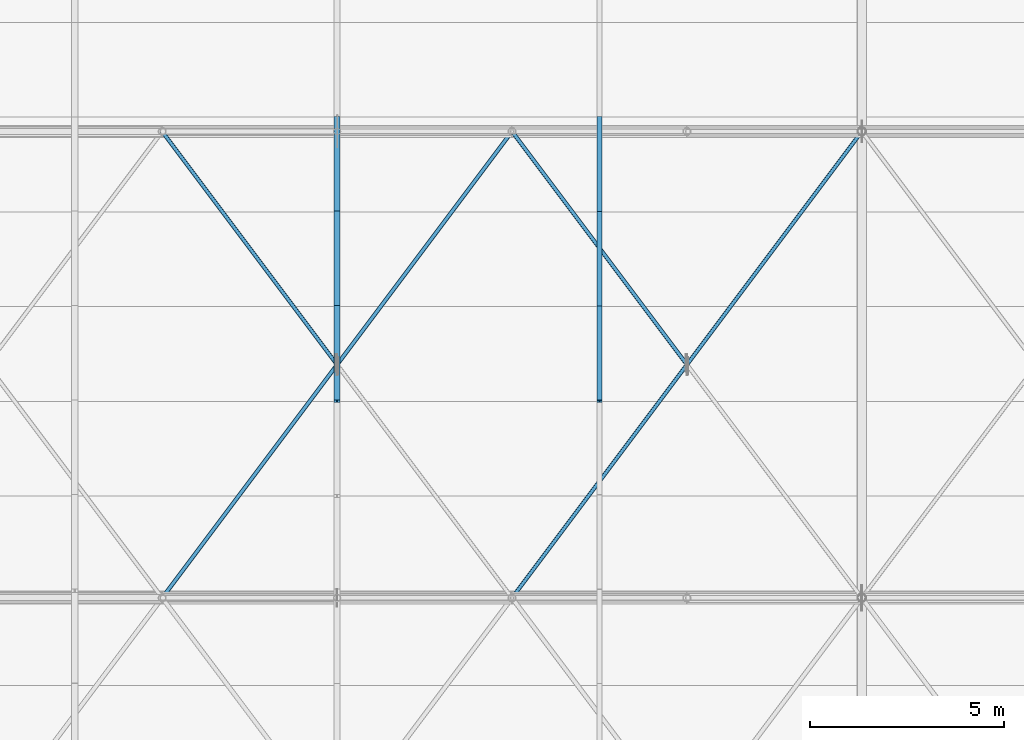
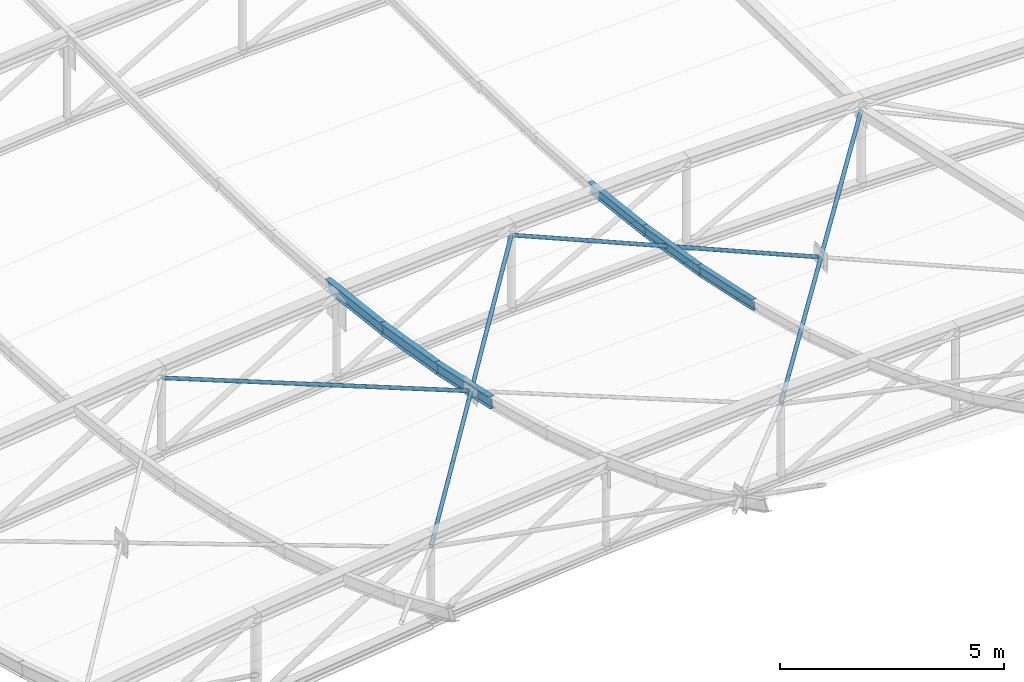
# One storey, part 83 of 262: 10 members.
"""IFC4 building model written with IfcOpenShell, lengths in metres."""

from ifc_helpers import new_model, si_unit, derived_unit, direction, frame, origin, origin_2d, place, context, subcontext, project, spatial, hollow_circle, i_section, extrude, material, material_profile, profile_set, type_object, element, save


model = new_model("IFC4")

# Units and contexts
model_context = context("Model", 3, precision=1e-05, world=origin(), true_north=direction((0.0, 1.0)))
body_context = subcontext(model_context, "Body", "Model", "MODEL_VIEW")
ifc_project = project(units=[si_unit("LENGTHUNIT", "METRE"), si_unit("AREAUNIT", "SQUARE_METRE"), si_unit("VOLUMEUNIT", "CUBIC_METRE"), si_unit("PLANEANGLEUNIT", "RADIAN"), si_unit("MASSUNIT", "GRAM", prefix="KILO"), derived_unit("THERMALTRANSMITTANCEUNIT", [(si_unit("POWERUNIT", "WATT"), 1), (si_unit("LENGTHUNIT", "METRE"), -2), (si_unit("THERMODYNAMICTEMPERATUREUNIT", "KELVIN"), -1)])], contexts=[model_context])

# Site, building, storey
site_placement = place(None, origin())
site = spatial("IfcSite", under=ifc_project, at=site_placement, CompositionType="ELEMENT")
building_placement = place(site_placement, origin())
building = spatial("IfcBuilding", under=site, at=building_placement, Name="Almenara Railside Exhibition Hall", CompositionType="ELEMENT")
storey_placement = place(building_placement, frame((0.0, 0.0, 21.699951171875)))
storey = spatial("IfcBuildingStorey", under=building, at=storey_placement, Name="RF", CompositionType="ELEMENT", Elevation=21.699951171875)

# Members
ifc_material = material(Name="Structural steel S355JR", Category="steel")
ifc_material_profile_1 = material_profile(ifc_material, i_section(OverallWidth=0.14990234375, OverallDepth=0.300048828125, WebThickness=0.007080078125, FlangeThickness=0.0107421875, FilletRadius=0.014892578125, at=origin_2d()), Name="IPE 300")
ifc_profile_set_1 = profile_set([ifc_material_profile_1], Name="Structural steel S355JR")
member_type_1 = type_object("IfcMemberType", Name="East Hall Ridge Purlin IPE 300 S355JR", PredefinedType="PURLIN", material=ifc_profile_set_1)
member_1_placement = place(storey_placement, frame((25.5, 65.056884765625, 3.07666015625), z_axis=(0.0, 0.977496103583, -0.210953472309), x_axis=(-1.0, 0.0, 0.0)))
element("IfcMember", 1, at=member_1_placement, inside=storey, type_object=member_type_1, Name="MEM-PR-V1-PR-IPE300-02-07", PredefinedType="PURLIN", context=body_context, shape_type="SweptSolid", body=[
    extrude(i_section(OverallWidth=0.14990234375, OverallDepth=0.300048828125, WebThickness=0.007080078125, FlangeThickness=0.0107421875, FilletRadius=0.014892578125, at=origin_2d()), origin(), (0.0, 0.0, 1.0), 2.492919921875),
])
member_2_placement = place(storey_placement, frame((25.5, 67.49365234375, 2.553955078125), z_axis=(0.0, 0.986449960692, -0.164062412058), x_axis=(-1.0, 0.0, 0.0)))
element("IfcMember", 2, at=member_2_placement, inside=storey, type_object=member_type_1, Name="MEM-PR-V1-PR-IPE300-02-08", PredefinedType="PURLIN", context=body_context, shape_type="SweptSolid", body=[
    extrude(i_section(OverallWidth=0.14990234375, OverallDepth=0.300048828125, WebThickness=0.007080078125, FlangeThickness=0.0107421875, FilletRadius=0.014892578125, at=origin_2d()), origin(), (0.0, 0.0, 1.0), 2.47021484375),
])
member_3_placement = place(storey_placement, frame((25.5, 69.930419921875, 2.151123046875), z_axis=(0.0, 0.993105700961, -0.117222296166), x_axis=(-1.0, 0.0, 0.0)))
element("IfcMember", 3, at=member_3_placement, inside=storey, type_object=member_type_1, Name="MEM-PR-V1-PR-IPE300-02-09", PredefinedType="PURLIN", context=body_context, shape_type="SweptSolid", body=[
    extrude(i_section(OverallWidth=0.14990234375, OverallDepth=0.300048828125, WebThickness=0.007080078125, FlangeThickness=0.0107421875, FilletRadius=0.014892578125, at=origin_2d()), origin(), (0.0, 0.0, 1.0), 2.453369140625),
])
ifc_material_profile_2 = material_profile(ifc_material, i_section(OverallWidth=0.135009765625, OverallDepth=0.27001953125, WebThickness=0.006591796875, FlangeThickness=0.01025390625, FilletRadius=0.014892578125, at=origin_2d()), Name="IPE 270")
ifc_profile_set_2 = profile_set([ifc_material_profile_2], Name="Structural steel S355JR")
member_type_2 = type_object("IfcMemberType", Name="East Hall Standard Purlin IPE 270 S355JR", PredefinedType="PURLIN", material=ifc_profile_set_2)
member_4_placement = place(storey_placement, frame((32.25, 65.056884765625, 3.369873046875), z_axis=(0.0, 0.977496103583, -0.210953472309), x_axis=(-1.0, 0.0, 0.0)))
element("IfcMember", 4, at=member_4_placement, inside=storey, type_object=member_type_2, Name="MEM-PR-V1-PR-IPE270-03-07", PredefinedType="PURLIN", context=body_context, shape_type="SweptSolid", body=[
    extrude(i_section(OverallWidth=0.135009765625, OverallDepth=0.27001953125, WebThickness=0.006591796875, FlangeThickness=0.01025390625, FilletRadius=0.014892578125, at=origin_2d()), origin(), (0.0, 0.0, 1.0), 2.492919921875),
])
member_5_placement = place(storey_placement, frame((32.25, 67.49365234375, 2.84716796875), z_axis=(0.0, 0.986449960692, -0.164062412058), x_axis=(-1.0, 0.0, 0.0)))
element("IfcMember", 5, at=member_5_placement, inside=storey, type_object=member_type_2, Name="MEM-PR-V1-PR-IPE270-03-08", PredefinedType="PURLIN", context=body_context, shape_type="SweptSolid", body=[
    extrude(i_section(OverallWidth=0.135009765625, OverallDepth=0.27001953125, WebThickness=0.006591796875, FlangeThickness=0.01025390625, FilletRadius=0.014892578125, at=origin_2d()), origin(), (0.0, 0.0, 1.0), 2.47021484375),
])
member_6_placement = place(storey_placement, frame((32.25, 69.930419921875, 2.444091796875), z_axis=(0.0, 0.993105700961, -0.117222296166), x_axis=(-1.0, 0.0, 0.0)))
element("IfcMember", 6, at=member_6_placement, inside=storey, type_object=member_type_2, Name="MEM-PR-V1-PR-IPE270-03-09", PredefinedType="PURLIN", context=body_context, shape_type="SweptSolid", body=[
    extrude(i_section(OverallWidth=0.135009765625, OverallDepth=0.27001953125, WebThickness=0.006591796875, FlangeThickness=0.01025390625, FilletRadius=0.014892578125, at=origin_2d()), origin(), (0.0, 0.0, 1.0), 2.453369140625),
])
ifc_material_profile_3 = material_profile(ifc_material, hollow_circle(Radius=0.05078125, WallThickness=0.00390625, at=origin_2d()), Name="CHS 101.6x4")
ifc_profile_set_3 = profile_set([ifc_material_profile_3], Name="Structural steel S355JR")
member_type_3 = type_object("IfcMemberType", Name="Scroll Wind Plan Brace CHS 101.6x4 S355JR", PredefinedType="BRACE", material=ifc_profile_set_3)
member_7_placement = place(storey_placement, frame((21.0, 60.0, 3.783447265625), z_axis=(0.59502822387, 0.793370965159, -0.128467600743), x_axis=(-0.8, 0.6, 0.0)))
element("IfcMember", 7, at=member_7_placement, inside=storey, type_object=member_type_3, Name="MEM-WB-V1-WB-CHS102-01-02-C", PredefinedType="BRACE", context=body_context, shape_type="SweptSolid", body=[
    extrude(hollow_circle(Radius=0.05078125, WallThickness=0.00390625, at=origin_2d()), origin(), (0.0, 0.0, 1.0), 15.125244140625),
])
member_8_placement = place(storey_placement, frame((25.468017578125, 66.042724609375, 2.7998046875), z_axis=(-0.585077102142, 0.780092146296, -0.221677756748), x_axis=(-0.799996065737, -0.600005245648, 0.0)))
element("IfcMember", 8, at=member_8_placement, inside=storey, type_object=member_type_3, Name="MEM-WB-V1-WB-CHS102-01-02-S2", PredefinedType="BRACE", context=body_context, shape_type="SweptSolid", body=[
    extrude(hollow_circle(Radius=0.05078125, WallThickness=0.00390625, at=origin_2d()), origin(), (0.0, 0.0, 1.0), 7.63671875),
])
member_9_placement = place(storey_placement, frame((30.0, 60.0, 4.516845703125), z_axis=(0.592265180175, 0.7896869069, -0.160051696097), x_axis=(-0.8, 0.6, 0.0)))
element("IfcMember", 9, at=member_9_placement, inside=storey, type_object=member_type_3, Name="MEM-WB-V1-WB-CHS102-01-04-C", PredefinedType="BRACE", context=body_context, shape_type="SweptSolid", body=[
    extrude(hollow_circle(Radius=0.05078125, WallThickness=0.00390625, at=origin_2d()), origin(), (0.0, 0.0, 1.0), 15.19580078125),
])
member_10_placement = place(storey_placement, frame((34.4677734375, 66.04296875, 3.290283203125), z_axis=(-0.588938662257, 0.785251549676, -0.191131514489), x_axis=(-0.8, -0.6, 0.0)))
element("IfcMember", 10, at=member_10_placement, inside=storey, type_object=member_type_3, Name="MEM-WB-V1-WB-CHS102-01-04-S2", PredefinedType="BRACE", context=body_context, shape_type="SweptSolid", body=[
    extrude(hollow_circle(Radius=0.05078125, WallThickness=0.00390625, at=origin_2d()), origin(), (0.0, 0.0, 1.0), 7.586181640625),
])

save(model, "model.ifc")
